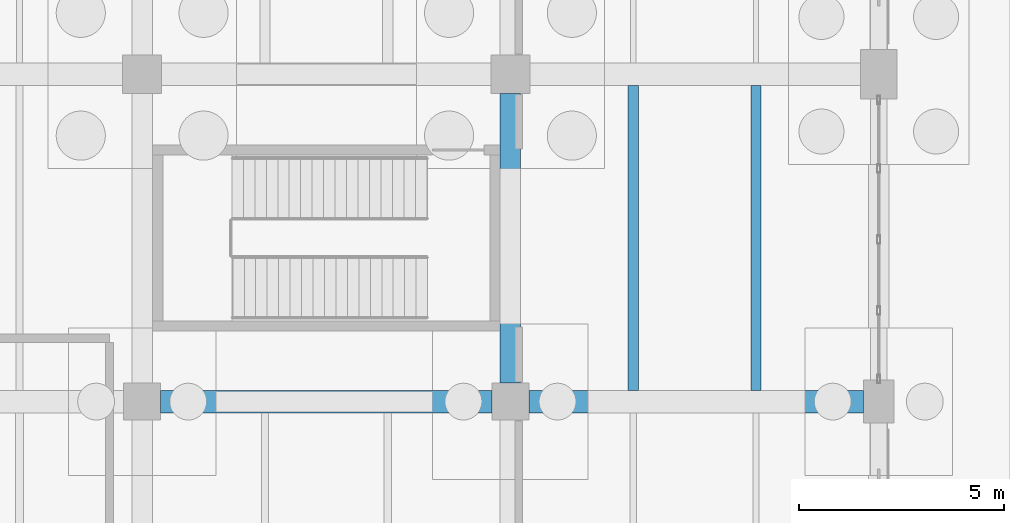
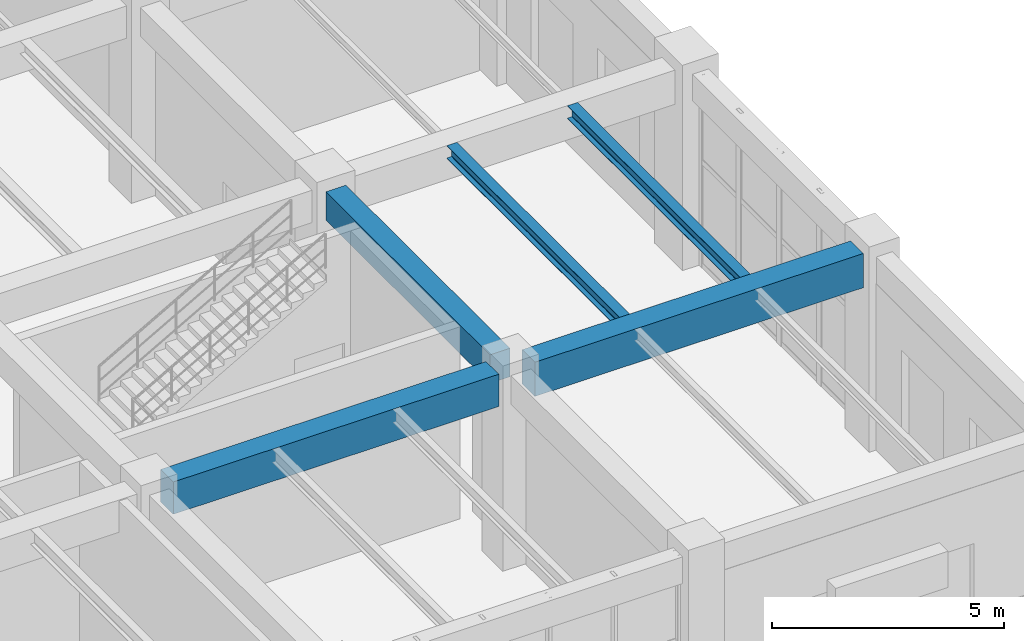
# One storey, part 62 of 121: 5 beams.
"""IFC4 building model written with IfcOpenShell, lengths in metres."""

from ifc_helpers import new_model, si_unit, derived_unit, direction, frame, origin, origin_2d, place, context, subcontext, project, spatial, rectangle, i_section, extrude, material, material_profile, profile_set, type_object, element, save


model = new_model("IFC4")

# Units and contexts
model_context = context("Model", 3, precision=1e-05, world=origin(), true_north=direction((0.0, 1.0)))
body_context = subcontext(model_context, "Body", "Model", "MODEL_VIEW")
ifc_project = project(units=[si_unit("LENGTHUNIT", "METRE"), si_unit("AREAUNIT", "SQUARE_METRE"), si_unit("VOLUMEUNIT", "CUBIC_METRE"), si_unit("PLANEANGLEUNIT", "RADIAN"), si_unit("MASSUNIT", "GRAM", prefix="KILO"), derived_unit("THERMALTRANSMITTANCEUNIT", [(si_unit("MASSUNIT", "GRAM", prefix="KILO"), 1), (si_unit("TIMEUNIT", "SECOND"), -3), (si_unit("THERMODYNAMICTEMPERATUREUNIT", "KELVIN"), -1)])], contexts=[model_context])

# Site, building, storey
site_placement = place(None, origin())
site = spatial("IfcSite", under=ifc_project, at=site_placement, CompositionType="ELEMENT")
building_placement = place(site_placement, origin())
building = spatial("IfcBuilding", under=site, at=building_placement, Name="Zhenchuan Archway Interchange", CompositionType="ELEMENT")
storey_placement = place(building_placement, origin())
storey = spatial("IfcBuildingStorey", under=building, at=storey_placement, Name="L00", CompositionType="ELEMENT", Elevation=0.0)

# Beams
ifc_material_1 = material(Name="Concrete C40", Category="concrete")
ifc_material_profile_1 = material_profile(ifc_material_1, rectangle(XDim=0.5, YDim=0.75, at=origin_2d()), Name="RC 500x750")
ifc_profile_set_1 = profile_set([ifc_material_profile_1], Name="Concrete C40")
beam_type_1 = type_object("IfcBeamType", Name="BM_RC_500x750", PredefinedType="BEAM", material=ifc_profile_set_1)
beam_1_placement = place(storey_placement, frame((162.0, 16.449951171875, 4.705078125), z_axis=(0.0, 1.0, 0.0), x_axis=(-1.0, 0.0, 0.0)))
element("IfcBeam", 1, at=beam_1_placement, inside=storey, type_object=beam_type_1, Name="Beam 19:C-D (L00)", PredefinedType="BEAM", context=body_context, shape_type="SweptSolid", body=[
    extrude(rectangle(XDim=0.5, YDim=0.75, at=origin_2d()), origin(), (0.0, 0.0, 1.0), 7.074951171875),
])
ifc_material_profile_2 = material_profile(ifc_material_1, rectangle(XDim=0.550048828125, YDim=0.85009765625, at=origin_2d()), Name="RC 550x850")
ifc_profile_set_2 = profile_set([ifc_material_profile_2], Name="Concrete C40")
beam_type_2 = type_object("IfcBeamType", Name="BM_RC_550x850", PredefinedType="BEAM", material=ifc_profile_set_2)
beam_2_placement = place(storey_placement, frame((153.449951171875, 16.0, 4.655029296875), z_axis=(1.0, 0.0, 0.0), x_axis=(0.0, 1.0, 0.0)))
element("IfcBeam", 2, at=beam_2_placement, inside=storey, type_object=beam_type_2, Name="Beam C:18-19 (L00)", PredefinedType="BEAM", context=body_context, shape_type="SweptSolid", body=[
    extrude(rectangle(XDim=0.550048828125, YDim=0.85009765625, at=origin_2d()), origin(), (0.0, 0.0, 1.0), 8.10009765625),
])
ifc_material_profile_3 = material_profile(ifc_material_1, rectangle(XDim=0.550048828125, YDim=0.89990234375, at=origin_2d()), Name="RC 550x900")
ifc_profile_set_3 = profile_set([ifc_material_profile_3], Name="Concrete C40")
beam_type_3 = type_object("IfcBeamType", Name="BM_RC_550x900", PredefinedType="BEAM", material=ifc_profile_set_3)
beam_3_placement = place(storey_placement, frame((162.449951171875, 16.0, 4.6298828125), z_axis=(1.0, 0.0, 0.0), x_axis=(0.0, 1.0, 0.0)))
element("IfcBeam", 3, at=beam_3_placement, inside=storey, type_object=beam_type_3, Name="Beam C:19-20 (L00)", PredefinedType="BEAM", context=body_context, shape_type="SweptSolid", body=[
    extrude(rectangle(XDim=0.550048828125, YDim=0.89990234375, at=origin_2d()), origin(), (0.0, 0.0, 1.0), 8.175048828125),
])
ifc_material_2 = material(Name="Steel Q355", Category="steel")
ifc_material_profile_4 = material_profile(ifc_material_2, i_section(OverallWidth=0.25, OverallDepth=0.340087890625, WebThickness=0.009033203125, FlangeThickness=0.013916015625, FilletRadius=0.01806640625, at=origin_2d()), Name="HM 340x250")
ifc_profile_set_4 = profile_set([ifc_material_profile_4], Name="Steel Q355")
beam_type_4 = type_object("IfcBeamType", Name="JST_STL_HM340", PredefinedType="JOIST", material=ifc_profile_set_4)
for number, where, z_axis, x_axis, name in (
    (4, (165.0, 16.27490234375, 4.909912109375), (0.0, 1.0, 0.0), (-1.0, 0.0, 0.0), "Secondary joist 19-20/C-D #1 (L00)"),
    (5, (168.0, 16.27490234375, 4.909912109375), (0.0, 1.0, 0.0), (-1.0, 0.0, 0.0), "Secondary joist 19-20/C-D #2 (L00)"),
):
    element("IfcBeam", number, at=place(storey_placement, frame(where, z_axis=z_axis, x_axis=x_axis)), inside=storey, type_object=beam_type_4, Name=name, PredefinedType="JOIST", context=body_context, shape_type="SweptSolid", body=[
        extrude(i_section(OverallWidth=0.25, OverallDepth=0.340087890625, WebThickness=0.009033203125, FlangeThickness=0.013916015625, FilletRadius=0.01806640625, at=origin_2d()), origin(), (0.0, 0.0, 1.0), 7.4501953125),
    ])

save(model, "model.ifc")
